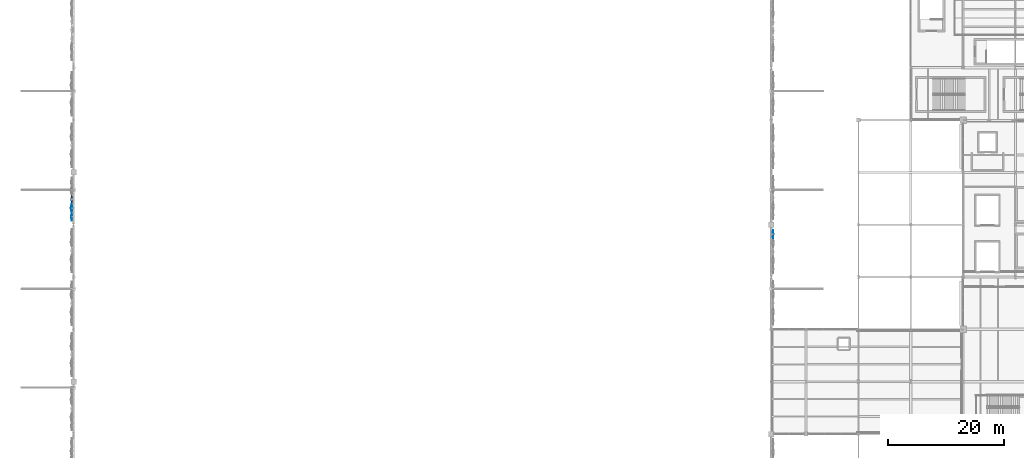
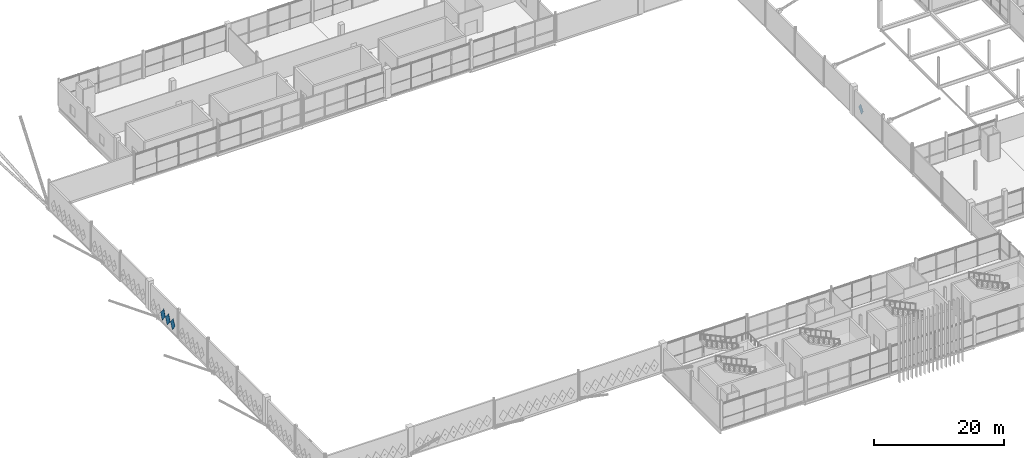
# One storey, part 72 of 119: 4 plates.
"""IFC4 building model written with IfcOpenShell, lengths in metres."""

from ifc_helpers import new_model, si_unit, direction, frame, origin, place, context, subcontext, project, spatial, polyline, outline, extrude, material, layer, layer_set, type_object, element, save


model = new_model("IFC4")

# Units and contexts
model_context = context("Model", 3, precision=1e-05, world=origin(), true_north=direction((0.0, 1.0)))
body_context = subcontext(model_context, "Body", "Model", "MODEL_VIEW")
ifc_project = project(units=[si_unit("LENGTHUNIT", "METRE"), si_unit("AREAUNIT", "SQUARE_METRE"), si_unit("VOLUMEUNIT", "CUBIC_METRE"), si_unit("PLANEANGLEUNIT", "RADIAN"), si_unit("MASSUNIT", "GRAM", prefix="KILO")], contexts=[model_context])

# Site, building, storey
site_placement = place(None, origin())
site = spatial("IfcSite", under=ifc_project, at=site_placement, CompositionType="ELEMENT")
building_placement = place(site_placement, origin())
building = spatial("IfcBuilding", under=site, at=building_placement, Name="Qamarlyn Nura Convention Centre", CompositionType="ELEMENT")
storey_placement = place(building_placement, frame((0.0, 0.0, 5.39990234375)))
storey = spatial("IfcBuildingStorey", under=building, at=storey_placement, Name="L01", CompositionType="ELEMENT", Elevation=5.39990234375)

# Plates
ifc_material = material(Name="White high-albedo PVDF aluminium composite sheet", Category="aluminium")
ifc_layer_1 = layer(ifc_material, 0.02392578125, Name="FP-DIAM-03")
ifc_layer_set_1 = layer_set([ifc_layer_1], Name="White high-albedo PVDF aluminium composite sheet")
plate_type_1 = type_object("IfcPlateType", Name="FP-DIAM-03", PredefinedType="SHEET", material=ifc_layer_set_1)
for number, where, z_axis, x_axis, name in (
    (1, (-0.31005859375, 64.368896484375, 1.7001953125), (-0.998059468659, 0.0, 0.062267945373), (0.0, -1.0, 0.0), "L01 pivoted white diamond facade tile 0074"),
    (2, (120.31005859375, 61.36865234375, 1.7001953125), (0.998059468659, 0.0, 0.062267945373), (0.0, 1.0, 0.0), "L01 pivoted white diamond facade tile 0168"),
):
    element("IfcPlate", number, at=place(storey_placement, frame(where, z_axis=z_axis, x_axis=x_axis)), inside=storey, type_object=plate_type_1, Name=name, PredefinedType="SHEET", context=body_context, shape_type="SweptSolid", body=[
        extrude(outline(polyline([(-0.719970703125, 0.0), (0.0, -1.050048828125), (0.719970703125, 0.0), (0.0, 1.050048828125), (-0.719970703125, 0.0)])), origin(), (0.0, 0.0, 1.0), 0.02392578125),
    ])
ifc_layer_2 = layer(ifc_material, 0.0380859375, Name="FP-DIAM-07")
ifc_layer_set_2 = layer_set([ifc_layer_2], Name="White high-albedo PVDF aluminium composite sheet")
plate_type_2 = type_object("IfcPlateType", Name="FP-DIAM-07", PredefinedType="SHEET", material=ifc_layer_set_2)
plate_1_placement = place(storey_placement, frame((-0.31005859375, 65.868896484375, 1.7001953125), z_axis=(-0.99271534578, 0.0, 0.120483369194), x_axis=(0.0, -1.0, 0.0)))
element("IfcPlate", 3, at=plate_1_placement, inside=storey, type_object=plate_type_2, Name="L01 pivoted white diamond facade tile 0075", PredefinedType="SHEET", context=body_context, shape_type="SweptSolid", body=[
    extrude(outline(polyline([(-0.719970703125, 0.0), (0.0, -1.050048828125), (0.719970703125, 0.0), (0.0, 1.050048828125), (-0.719970703125, 0.0)])), origin(), (0.0, 0.0, 1.0), 0.0380859375),
])
ifc_layer_3 = layer(ifc_material, 0.0439453125, Name="FP-DIAM-08")
ifc_layer_set_3 = layer_set([ifc_layer_3], Name="White high-albedo PVDF aluminium composite sheet")
plate_type_3 = type_object("IfcPlateType", Name="FP-DIAM-08", PredefinedType="SHEET", material=ifc_layer_set_3)
plate_2_placement = place(storey_placement, frame((-0.31005859375, 67.368896484375, 1.7001953125), z_axis=(-0.989776230908, 0.0, 0.142628933706), x_axis=(0.0, -1.0, 0.0)))
element("IfcPlate", 4, at=plate_2_placement, inside=storey, type_object=plate_type_3, Name="L01 pivoted white diamond facade tile 0076", PredefinedType="SHEET", context=body_context, shape_type="SweptSolid", body=[
    extrude(outline(polyline([(-0.719970703125, 0.0), (0.0, -1.050048828125), (0.719970703125, 0.0), (0.0, 1.050048828125), (-0.719970703125, 0.0)])), origin(), (0.0, 0.0, 1.0), 0.0439453125),
])

save(model, "model.ifc")
